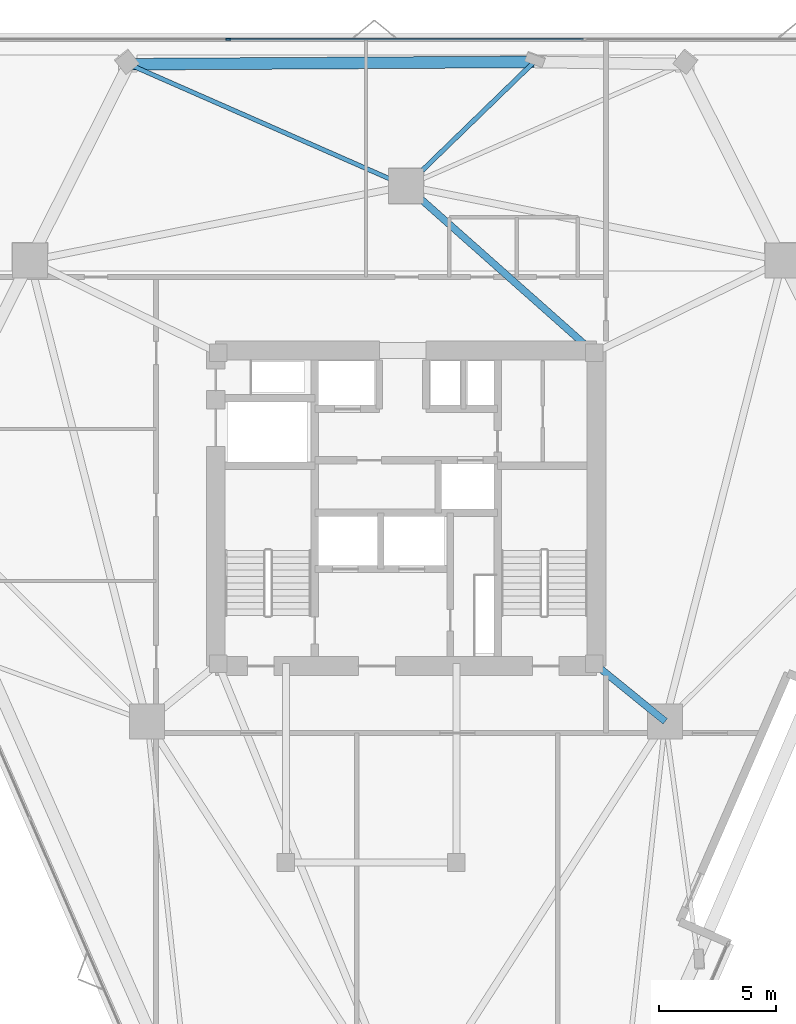
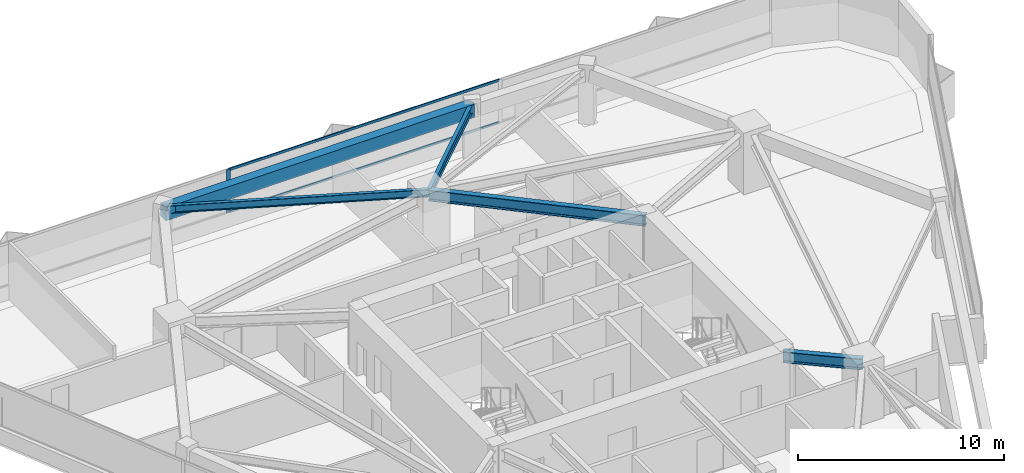
# One storey, part 5 of 12: 5 beams, 3 members, 1 element without a shape of its own.
"""IFC4 building model written with IfcOpenShell, lengths in metres."""

from ifc_helpers import new_model, si_unit, direction, frame, origin, origin_2d, place, context, subcontext, project, spatial, rectangle, i_section, extrude, material, layer, layer_set, material_profile, profile_set, type_object, element, aggregate, save


model = new_model("IFC4")

# Units and contexts
model_context = context("Model", 3, precision=1e-05, world=origin(), true_north=direction((0.0, 1.0)))
body_context = subcontext(model_context, "Body", "Model", "MODEL_VIEW")
ifc_project = project(units=[si_unit("LENGTHUNIT", "METRE"), si_unit("AREAUNIT", "SQUARE_METRE"), si_unit("VOLUMEUNIT", "CUBIC_METRE"), si_unit("PLANEANGLEUNIT", "RADIAN"), si_unit("MASSUNIT", "GRAM", prefix="KILO")], contexts=[model_context])

# Site, building, storey
site_placement = place(None, origin())
site = spatial("IfcSite", under=ifc_project, at=site_placement, CompositionType="ELEMENT")
building_placement = place(site_placement, origin())
building = spatial("IfcBuilding", under=site, at=building_placement, Name="Talyreon Biosciences Tower", CompositionType="ELEMENT")
storey_placement = place(building_placement, frame((0.0, 0.0, 156.39990234375)))
storey = spatial("IfcBuildingStorey", under=building, at=storey_placement, Name="L41", CompositionType="ELEMENT", Elevation=156.39990234375)

# Curtain wall, members
ifc_material_1 = material(Name="Thermally broken aluminium and low-E glazing", Category="aluminium")
ifc_layer = layer(ifc_material_1, 0.205078125)
ifc_layer_set = layer_set([ifc_layer], Name="Thermally broken aluminium and low-E glazing")
curtain_wall_type = type_object("IfcCurtainWallType", Name="CurtainWall_SkyGardenLoggia", PredefinedType="NOTDEFINED", material=ifc_layer_set)
curtain_wall_placement = place(storey_placement, origin())
curtain_wall = element("IfcCurtainWall", 1, at=curtain_wall_placement, inside=storey, type_object=curtain_wall_type, Name="L41 Unitised Curtain Wall FCW-L41-03", PredefinedType="NOTDEFINED")
ifc_material_2 = material(Name="Anodised thermally broken aluminium", Category="aluminium")
ifc_material_profile_1 = material_profile(ifc_material_2, rectangle(XDim=0.074951171875, YDim=0.2099609375, at=origin_2d()), Name="ALUM MULLION 75x210")
ifc_profile_set_1 = profile_set([ifc_material_profile_1], Name="Anodised thermally broken aluminium")
member_type_1 = type_object("IfcMemberType", Name="CWMullion_75x210", PredefinedType="MULLION", material=ifc_profile_set_1)
member_1_placement = place(storey_placement, frame((58.39111328125, 88.072509765625, 0.81005859375), z_axis=(0.0, 0.0, 1.0), x_axis=(0.0, 1.0, 0.0)))
member_1 = element("IfcMember", 2, at=member_1_placement, type_object=member_type_1, Name="CW7 mullion 2", PredefinedType="MULLION", context=body_context, shape_type="SweptSolid", body=[
    extrude(rectangle(XDim=0.074951171875, YDim=0.2099609375, at=origin_2d()), origin(), (0.0, 0.0, 1.0), 2.56494140625),
])
ifc_material_profile_2 = material_profile(ifc_material_2, rectangle(XDim=0.06494140625, YDim=0.139892578125, at=origin_2d()), Name="ALUM TRANSOM 65x140")
ifc_profile_set_2 = profile_set([ifc_material_profile_2], Name="Anodised thermally broken aluminium")
member_type_2 = type_object("IfcMemberType", Name="CWTransom_65x140", PredefinedType="USERDEFINED", material=ifc_profile_set_2)
member_2_placement = place(storey_placement, frame((58.428466796875, 88.072509765625, 0.842529296875), z_axis=(1.0, 0.0, 0.0), x_axis=(0.0, 1.0, 0.0)))
member_2 = element("IfcMember", 3, at=member_2_placement, type_object=member_type_2, Name="CW7 transom 2.1", ObjectType="TRANSOM", PredefinedType="USERDEFINED", context=body_context, shape_type="SweptSolid", body=[
    extrude(rectangle(XDim=0.06494140625, YDim=0.139892578125, at=origin_2d()), origin(), (0.0, 0.0, 1.0), 15.14306640625),
])
member_3_placement = place(storey_placement, frame((58.428466796875, 88.072509765625, 3.342529296875), z_axis=(1.0, 0.0, 0.0), x_axis=(0.0, 1.0, 0.0)))
member_3 = element("IfcMember", 4, at=member_3_placement, type_object=member_type_2, Name="CW7 transom 2.2", ObjectType="TRANSOM", PredefinedType="USERDEFINED", context=body_context, shape_type="SweptSolid", body=[
    extrude(rectangle(XDim=0.06494140625, YDim=0.139892578125, at=origin_2d()), origin(), (0.0, 0.0, 1.0), 15.14306640625),
])
aggregate(curtain_wall, [member_1, member_2, member_3])

# Beams
ifc_material_3 = material(Name="Precast concrete C45/55", Category="concrete")
ifc_material_profile_3 = material_profile(ifc_material_3, rectangle(XDim=0.5, YDim=0.780029296875, at=origin_2d()), Name="RCB 500x780")
ifc_profile_set_3 = profile_set([ifc_material_profile_3], Name="Precast concrete C45/55")
beam_type_1 = type_object("IfcBeamType", Name="ExpressedSpandrel_500x780", PredefinedType="SPANDREL", material=ifc_profile_set_3)
beam_1_placement = place(storey_placement, frame((71.478515625, 87.1025390625, 2.985107421875), z_axis=(-0.999983355281, -0.005769675987, 0.0), x_axis=(0.005769675987, -0.999983355281, 0.0)))
element("IfcBeam", 5, at=beam_1_placement, inside=storey, type_object=beam_type_1, Name="L41 Expressed Horizontal Concrete Spandrel 07", PredefinedType="SPANDREL", context=body_context, shape_type="SweptSolid", body=[
    extrude(rectangle(XDim=0.5, YDim=0.780029296875, at=origin_2d()), origin(), (0.0, 0.0, 1.0), 17.348876953125),
])
ifc_material_4 = material(Name="Steel SM355", Category="steel")
ifc_material_profile_4 = material_profile(ifc_material_4, i_section(OverallWidth=0.300048828125, OverallDepth=0.64990234375, WebThickness=0.01611328125, FlangeThickness=0.031005859375, FilletRadius=0.027099609375, at=origin_2d()), Name="HE650B")
ifc_profile_set_4 = profile_set([ifc_material_profile_4], Name="Steel SM355")
beam_type_2 = type_object("IfcBeamType", Name="SteelBeam_HE650B", PredefinedType="BEAM", material=ifc_profile_set_4)
beam_2_placement = place(storey_placement, frame((74.050048828125, 61.35009765625, 3.050048828125), z_axis=(0.775755154013, -0.631034025249, 0.0), x_axis=(0.631034025249, 0.775755154013, 0.0)))
element("IfcBeam", 6, at=beam_2_placement, inside=storey, type_object=beam_type_2, Name="L41 Radial Primary Girder 2", PredefinedType="BEAM", context=body_context, shape_type="SweptSolid", body=[
    extrude(i_section(OverallWidth=0.300048828125, OverallDepth=0.64990234375, WebThickness=0.01611328125, FlangeThickness=0.031005859375, FilletRadius=0.027099609375, at=origin_2d()), origin(), (0.0, 0.0, 1.0), 3.913818359375),
])
beam_3_placement = place(storey_placement, frame((74.050048828125, 74.64990234375, 3.050048828125), z_axis=(-0.748178733955, 0.663497235908, 0.0), x_axis=(-0.663497235908, -0.748178733955, 0.0)))
element("IfcBeam", 7, at=beam_3_placement, inside=storey, type_object=beam_type_2, Name="L41 Radial Primary Girder 4", PredefinedType="BEAM", context=body_context, shape_type="SweptSolid", body=[
    extrude(i_section(OverallWidth=0.300048828125, OverallDepth=0.64990234375, WebThickness=0.01611328125, FlangeThickness=0.031005859375, FilletRadius=0.027099609375, at=origin_2d()), origin(), (0.0, 0.0, 1.0), 10.759521484375),
])
ifc_material_profile_5 = material_profile(ifc_material_4, i_section(OverallWidth=0.18994140625, OverallDepth=0.449951171875, WebThickness=0.009521484375, FlangeThickness=0.0146484375, FilletRadius=0.02099609375, at=origin_2d()), Name="IPE450")
ifc_profile_set_5 = profile_set([ifc_material_profile_5], Name="Steel SM355")
beam_type_3 = type_object("IfcBeamType", Name="SteelJoist_IPE450", PredefinedType="JOIST", material=ifc_profile_set_5)
beam_4_placement = place(storey_placement, frame((66.0, 81.788818359375, 3.150146484375), z_axis=(-0.915577239273, 0.402142162581, 0.0), x_axis=(-0.402142162581, -0.915577239273, 0.0)))
element("IfcBeam", 8, at=beam_4_placement, inside=storey, type_object=beam_type_3, Name="L41 Radial Composite Floor Joist PC-N2", PredefinedType="JOIST", context=body_context, shape_type="SweptSolid", body=[
    extrude(i_section(OverallWidth=0.18994140625, OverallDepth=0.449951171875, WebThickness=0.009521484375, FlangeThickness=0.0146484375, FilletRadius=0.02099609375, at=origin_2d()), origin(), (0.0, 0.0, 1.0), 12.964599609375),
])
ifc_material_profile_6 = material_profile(ifc_material_4, i_section(OverallWidth=0.199951171875, OverallDepth=0.5, WebThickness=0.01025390625, FlangeThickness=0.01611328125, FilletRadius=0.02099609375, at=origin_2d()), Name="IPE500")
ifc_profile_set_6 = profile_set([ifc_material_profile_6], Name="Steel SM355")
beam_type_4 = type_object("IfcBeamType", Name="SteelJoist_IPE500", PredefinedType="JOIST", material=ifc_profile_set_6)
beam_5_placement = place(storey_placement, frame((66.0, 81.788818359375, 3.125), z_axis=(0.717820455481, 0.696228262636, 0.0), x_axis=(-0.696228262636, 0.717820455481, 0.0)))
element("IfcBeam", 9, at=beam_5_placement, inside=storey, type_object=beam_type_4, Name="L41 Radial Composite Floor Joist PL-N", PredefinedType="JOIST", context=body_context, shape_type="SweptSolid", body=[
    extrude(i_section(OverallWidth=0.199951171875, OverallDepth=0.5, WebThickness=0.01025390625, FlangeThickness=0.01611328125, FilletRadius=0.02099609375, at=origin_2d()), origin(), (0.0, 0.0, 1.0), 7.632080078125),
])

save(model, "model.ifc")
